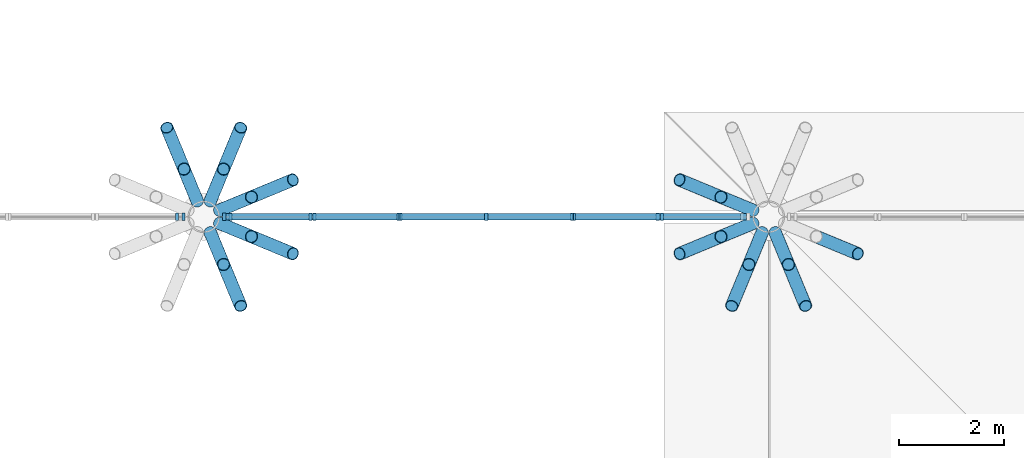
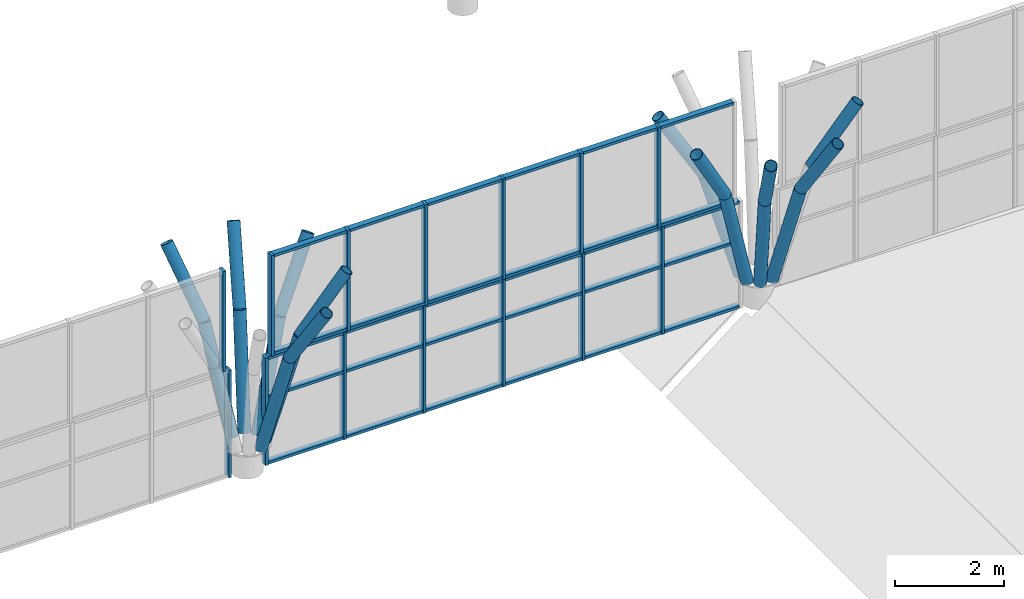
# One storey, part 17 of 95: 63 members, 4 elements without a shape of their own.
"""IFC4 building model written with IfcOpenShell, lengths in metres."""

from ifc_helpers import new_model, si_unit, direction, frame, origin, origin_2d, place, context, subcontext, project, spatial, rectangle, hollow_circle, extrude, material, layer, layer_set, material_profile, profile_set, type_object, element, aggregate, save


model = new_model("IFC4")

# Units and contexts
model_context = context("Model", 3, precision=1e-05, world=origin(), true_north=direction((0.0, 1.0)))
body_context = subcontext(model_context, "Body", "Model", "MODEL_VIEW")
ifc_project = project(units=[si_unit("LENGTHUNIT", "METRE"), si_unit("AREAUNIT", "SQUARE_METRE"), si_unit("VOLUMEUNIT", "CUBIC_METRE"), si_unit("PLANEANGLEUNIT", "RADIAN"), si_unit("MASSUNIT", "GRAM", prefix="KILO")], contexts=[model_context])

# Site, building, storey
site_placement = place(None, origin())
site = spatial("IfcSite", under=ifc_project, at=site_placement, CompositionType="ELEMENT")
building_placement = place(site_placement, origin())
building = spatial("IfcBuilding", under=site, at=building_placement, Name="Magnolia Steps Interchange", CompositionType="ELEMENT")
storey_placement = place(building_placement, frame((0.0, 0.0, 4.800048828125)))
storey = spatial("IfcBuildingStorey", under=building, at=storey_placement, Name="L01", CompositionType="ELEMENT", Elevation=4.800048828125)

# Curtain wall, member
ifc_material_1 = material(Name="Powder-coated aluminium and glass", Category="aluminium")
ifc_layer_1 = layer(ifc_material_1, 0.14990234375)
ifc_layer_set_1 = layer_set([ifc_layer_1], Name="Glazed hall curtain wall")
curtain_wall_type_1 = type_object("IfcCurtainWallType", Name="Glazed hall curtain wall", PredefinedType="NOTDEFINED", material=ifc_layer_set_1)
curtain_wall_1_placement = place(storey_placement, origin())
curtain_wall_1 = element("IfcCurtainWall", 1, at=curtain_wall_1_placement, inside=storey, type_object=curtain_wall_type_1, Name="Hall glazing S2 L01", PredefinedType="NOTDEFINED")
ifc_material_2 = material(Name="White powder-coated aluminium", Category="aluminium")
ifc_material_profile_1 = material_profile(ifc_material_2, rectangle(XDim=0.06005859375, YDim=0.14990234375, at=origin_2d()), Name="Aluminium mullion 60 x 150")
ifc_profile_set_1 = profile_set([ifc_material_profile_1], Name="White powder-coated aluminium")
member_type_1 = type_object("IfcMemberType", Name="Aluminium mullion 60 x 150", PredefinedType="MULLION", material=ifc_profile_set_1)
member_1_placement = place(storey_placement, frame((74.409912109375, 42.39990234375, 0.0), z_axis=(0.0, 0.0, 1.0), x_axis=(1.0, 0.0, 0.0)))
member_1 = element("IfcMember", 2, at=member_1_placement, type_object=member_type_1, Name="CW1 mullion 7", PredefinedType="MULLION", context=body_context, shape_type="SweptSolid", body=[
    extrude(rectangle(XDim=0.06005859375, YDim=0.14990234375, at=origin_2d()), origin(), (0.0, 0.0, 1.0), 2.39990234375),
])
aggregate(curtain_wall_1, [member_1])

ifc_material_3 = material(Name="Powder-coated aluminium and glass", Category="aluminium")
ifc_layer_2 = layer(ifc_material_3, 0.1201171875)
ifc_layer_set_2 = layer_set([ifc_layer_2], Name="Hall clerestory curtain wall")
curtain_wall_type_2 = type_object("IfcCurtainWallType", Name="Hall clerestory curtain wall", PredefinedType="NOTDEFINED", material=ifc_layer_set_2)
curtain_wall_2_placement = place(storey_placement, origin())
curtain_wall_2 = element("IfcCurtainWall", 3, at=curtain_wall_2_placement, inside=storey, type_object=curtain_wall_type_2, Name="Hall clerestory S2", PredefinedType="NOTDEFINED")
member_2_placement = place(storey_placement, frame((74.2900390625, 42.39990234375, 2.39990234375), z_axis=(0.0, 0.0, 1.0), x_axis=(1.0, 0.0, 0.0)))
member_2 = element("IfcMember", 4, at=member_2_placement, type_object=member_type_1, Name="CW6 mullion 7", PredefinedType="MULLION", context=body_context, shape_type="SweptSolid", body=[
    extrude(rectangle(XDim=0.06005859375, YDim=0.14990234375, at=origin_2d()), origin(), (0.0, 0.0, 1.0), 2.248779296875),
])
aggregate(curtain_wall_2, [member_2])

# Curtain wall, members
curtain_wall_3_placement = place(storey_placement, origin())
curtain_wall_3 = element("IfcCurtainWall", 5, at=curtain_wall_3_placement, inside=storey, type_object=curtain_wall_type_1, Name="Hall glazing S3 L01", PredefinedType="NOTDEFINED")
member_3_placement = place(storey_placement, frame((75.18994140625, 42.39990234375, 0.0), z_axis=(0.0, 0.0, 1.0), x_axis=(1.0, 0.0, 0.0)))
member_3 = element("IfcMember", 6, at=member_3_placement, type_object=member_type_1, Name="CW1 mullion 1", PredefinedType="MULLION", context=body_context, shape_type="SweptSolid", body=[
    extrude(rectangle(XDim=0.06005859375, YDim=0.14990234375, at=origin_2d()), origin(), (0.0, 0.0, 1.0), 2.39990234375),
])
member_4_placement = place(storey_placement, frame((76.840087890625, 42.39990234375, 0.0), z_axis=(0.0, 0.0, 1.0), x_axis=(1.0, 0.0, 0.0)))
member_4 = element("IfcMember", 7, at=member_4_placement, type_object=member_type_1, Name="CW1 mullion 2", PredefinedType="MULLION", context=body_context, shape_type="SweptSolid", body=[
    extrude(rectangle(XDim=0.06005859375, YDim=0.14990234375, at=origin_2d()), origin(), (0.0, 0.0, 1.0), 2.39990234375),
])
member_5_placement = place(storey_placement, frame((78.52001953125, 42.39990234375, 0.0), z_axis=(0.0, 0.0, 1.0), x_axis=(1.0, 0.0, 0.0)))
member_5 = element("IfcMember", 8, at=member_5_placement, type_object=member_type_1, Name="CW1 mullion 3", PredefinedType="MULLION", context=body_context, shape_type="SweptSolid", body=[
    extrude(rectangle(XDim=0.06005859375, YDim=0.14990234375, at=origin_2d()), origin(), (0.0, 0.0, 1.0), 2.39990234375),
])
member_6_placement = place(storey_placement, frame((80.199951171875, 42.39990234375, 0.0), z_axis=(0.0, 0.0, 1.0), x_axis=(1.0, 0.0, 0.0)))
member_6 = element("IfcMember", 9, at=member_6_placement, type_object=member_type_1, Name="CW1 mullion 4", PredefinedType="MULLION", context=body_context, shape_type="SweptSolid", body=[
    extrude(rectangle(XDim=0.06005859375, YDim=0.14990234375, at=origin_2d()), origin(), (0.0, 0.0, 1.0), 2.39990234375),
])
member_7_placement = place(storey_placement, frame((81.8798828125, 42.39990234375, 0.0), z_axis=(0.0, 0.0, 1.0), x_axis=(1.0, 0.0, 0.0)))
member_7 = element("IfcMember", 10, at=member_7_placement, type_object=member_type_1, Name="CW1 mullion 5", PredefinedType="MULLION", context=body_context, shape_type="SweptSolid", body=[
    extrude(rectangle(XDim=0.06005859375, YDim=0.14990234375, at=origin_2d()), origin(), (0.0, 0.0, 1.0), 2.39990234375),
])
member_8_placement = place(storey_placement, frame((83.56005859375, 42.39990234375, 0.0), z_axis=(0.0, 0.0, 1.0), x_axis=(1.0, 0.0, 0.0)))
member_8 = element("IfcMember", 11, at=member_8_placement, type_object=member_type_1, Name="CW1 mullion 6", PredefinedType="MULLION", context=body_context, shape_type="SweptSolid", body=[
    extrude(rectangle(XDim=0.06005859375, YDim=0.14990234375, at=origin_2d()), origin(), (0.0, 0.0, 1.0), 2.39990234375),
])

curtain_wall_4_placement = place(storey_placement, origin())
curtain_wall_4 = element("IfcCurtainWall", 12, at=curtain_wall_4_placement, inside=storey, type_object=curtain_wall_type_2, Name="Hall clerestory S3", PredefinedType="NOTDEFINED")
member_9_placement = place(storey_placement, frame((75.31005859375, 42.39990234375, 2.39990234375), z_axis=(0.0, 0.0, 1.0), x_axis=(1.0, 0.0, 0.0)))
member_9 = element("IfcMember", 13, at=member_9_placement, type_object=member_type_1, Name="CW6 mullion 1", PredefinedType="MULLION", context=body_context, shape_type="SweptSolid", body=[
    extrude(rectangle(XDim=0.06005859375, YDim=0.14990234375, at=origin_2d()), origin(), (0.0, 0.0, 1.0), 2.248779296875),
])
member_10_placement = place(storey_placement, frame((76.919921875, 42.39990234375, 2.39990234375), z_axis=(0.0, 0.0, 1.0), x_axis=(1.0, 0.0, 0.0)))
member_10 = element("IfcMember", 14, at=member_10_placement, type_object=member_type_1, Name="CW6 mullion 2", PredefinedType="MULLION", context=body_context, shape_type="SweptSolid", body=[
    extrude(rectangle(XDim=0.06005859375, YDim=0.14990234375, at=origin_2d()), origin(), (0.0, 0.0, 1.0), 2.248779296875),
])
member_11_placement = place(storey_placement, frame((78.56005859375, 42.39990234375, 2.39990234375), z_axis=(0.0, 0.0, 1.0), x_axis=(1.0, 0.0, 0.0)))
member_11 = element("IfcMember", 15, at=member_11_placement, type_object=member_type_1, Name="CW6 mullion 3", PredefinedType="MULLION", context=body_context, shape_type="SweptSolid", body=[
    extrude(rectangle(XDim=0.06005859375, YDim=0.14990234375, at=origin_2d()), origin(), (0.0, 0.0, 1.0), 2.248779296875),
])
member_12_placement = place(storey_placement, frame((80.199951171875, 42.39990234375, 2.39990234375), z_axis=(0.0, 0.0, 1.0), x_axis=(1.0, 0.0, 0.0)))
member_12 = element("IfcMember", 16, at=member_12_placement, type_object=member_type_1, Name="CW6 mullion 4", PredefinedType="MULLION", context=body_context, shape_type="SweptSolid", body=[
    extrude(rectangle(XDim=0.06005859375, YDim=0.14990234375, at=origin_2d()), origin(), (0.0, 0.0, 1.0), 2.248779296875),
])
member_13_placement = place(storey_placement, frame((81.840087890625, 42.39990234375, 2.39990234375), z_axis=(0.0, 0.0, 1.0), x_axis=(1.0, 0.0, 0.0)))
member_13 = element("IfcMember", 17, at=member_13_placement, type_object=member_type_1, Name="CW6 mullion 5", PredefinedType="MULLION", context=body_context, shape_type="SweptSolid", body=[
    extrude(rectangle(XDim=0.06005859375, YDim=0.14990234375, at=origin_2d()), origin(), (0.0, 0.0, 1.0), 2.248779296875),
])
member_14_placement = place(storey_placement, frame((83.47998046875, 42.39990234375, 2.39990234375), z_axis=(0.0, 0.0, 1.0), x_axis=(1.0, 0.0, 0.0)))
member_14 = element("IfcMember", 18, at=member_14_placement, type_object=member_type_1, Name="CW6 mullion 6", PredefinedType="MULLION", context=body_context, shape_type="SweptSolid", body=[
    extrude(rectangle(XDim=0.06005859375, YDim=0.14990234375, at=origin_2d()), origin(), (0.0, 0.0, 1.0), 2.248779296875),
])

# Member
ifc_material_4 = material(Name="White powder-coated aluminium", Category="aluminium")
ifc_material_profile_2 = material_profile(ifc_material_4, rectangle(XDim=0.06005859375, YDim=0.1201171875, at=origin_2d()), Name="Aluminium transom 60 x 120")
ifc_profile_set_2 = profile_set([ifc_material_profile_2], Name="White powder-coated aluminium")
member_type_2 = type_object("IfcMemberType", Name="Aluminium transom 60 x 120", PredefinedType="USERDEFINED", material=ifc_profile_set_2)
member_15_placement = place(storey_placement, frame((75.219970703125, 42.39990234375, 0.030029296875), z_axis=(1.0, 0.0, 0.0), x_axis=(0.0, 0.0, 1.0)))
member_15 = element("IfcMember", 19, at=member_15_placement, type_object=member_type_2, Name="CW1 transom 1.1", ObjectType="TRANSOM", PredefinedType="USERDEFINED", context=body_context, shape_type="SweptSolid", body=[
    extrude(rectangle(XDim=0.06005859375, YDim=0.1201171875, at=origin_2d()), origin(), (0.0, 0.0, 1.0), 1.590087890625),
])

member_16_placement = place(storey_placement, frame((75.219970703125, 42.39990234375, 1.5), z_axis=(1.0, 0.0, 0.0), x_axis=(0.0, 0.0, 1.0)))
member_16 = element("IfcMember", 20, at=member_16_placement, type_object=member_type_2, Name="CW1 transom 1.2", ObjectType="TRANSOM", PredefinedType="USERDEFINED", context=body_context, shape_type="SweptSolid", body=[
    extrude(rectangle(XDim=0.06005859375, YDim=0.1201171875, at=origin_2d()), origin(), (0.0, 0.0, 1.0), 1.590087890625),
])

member_17_placement = place(storey_placement, frame((75.219970703125, 42.39990234375, 2.369873046875), z_axis=(1.0, 0.0, 0.0), x_axis=(0.0, 0.0, 1.0)))
member_17 = element("IfcMember", 21, at=member_17_placement, type_object=member_type_2, Name="CW1 transom 1.3", ObjectType="TRANSOM", PredefinedType="USERDEFINED", context=body_context, shape_type="SweptSolid", body=[
    extrude(rectangle(XDim=0.06005859375, YDim=0.1201171875, at=origin_2d()), origin(), (0.0, 0.0, 1.0), 1.590087890625),
])

member_18_placement = place(storey_placement, frame((76.8701171875, 42.39990234375, 0.030029296875), z_axis=(1.0, 0.0, 0.0), x_axis=(0.0, 0.0, 1.0)))
member_18 = element("IfcMember", 22, at=member_18_placement, type_object=member_type_2, Name="CW1 transom 2.1", ObjectType="TRANSOM", PredefinedType="USERDEFINED", context=body_context, shape_type="SweptSolid", body=[
    extrude(rectangle(XDim=0.06005859375, YDim=0.1201171875, at=origin_2d()), origin(), (0.0, 0.0, 1.0), 1.619873046875),
])

member_19_placement = place(storey_placement, frame((76.8701171875, 42.39990234375, 1.5), z_axis=(1.0, 0.0, 0.0), x_axis=(0.0, 0.0, 1.0)))
member_19 = element("IfcMember", 23, at=member_19_placement, type_object=member_type_2, Name="CW1 transom 2.2", ObjectType="TRANSOM", PredefinedType="USERDEFINED", context=body_context, shape_type="SweptSolid", body=[
    extrude(rectangle(XDim=0.06005859375, YDim=0.1201171875, at=origin_2d()), origin(), (0.0, 0.0, 1.0), 1.619873046875),
])

member_20_placement = place(storey_placement, frame((76.8701171875, 42.39990234375, 2.369873046875), z_axis=(1.0, 0.0, 0.0), x_axis=(0.0, 0.0, 1.0)))
member_20 = element("IfcMember", 24, at=member_20_placement, type_object=member_type_2, Name="CW1 transom 2.3", ObjectType="TRANSOM", PredefinedType="USERDEFINED", context=body_context, shape_type="SweptSolid", body=[
    extrude(rectangle(XDim=0.06005859375, YDim=0.1201171875, at=origin_2d()), origin(), (0.0, 0.0, 1.0), 1.619873046875),
])

member_21_placement = place(storey_placement, frame((78.550048828125, 42.39990234375, 0.030029296875), z_axis=(1.0, 0.0, 0.0), x_axis=(0.0, 0.0, 1.0)))
member_21 = element("IfcMember", 25, at=member_21_placement, type_object=member_type_2, Name="CW1 transom 3.1", ObjectType="TRANSOM", PredefinedType="USERDEFINED", context=body_context, shape_type="SweptSolid", body=[
    extrude(rectangle(XDim=0.06005859375, YDim=0.1201171875, at=origin_2d()), origin(), (0.0, 0.0, 1.0), 1.619873046875),
])

member_22_placement = place(storey_placement, frame((78.550048828125, 42.39990234375, 1.5), z_axis=(1.0, 0.0, 0.0), x_axis=(0.0, 0.0, 1.0)))
member_22 = element("IfcMember", 26, at=member_22_placement, type_object=member_type_2, Name="CW1 transom 3.2", ObjectType="TRANSOM", PredefinedType="USERDEFINED", context=body_context, shape_type="SweptSolid", body=[
    extrude(rectangle(XDim=0.06005859375, YDim=0.1201171875, at=origin_2d()), origin(), (0.0, 0.0, 1.0), 1.619873046875),
])

member_23_placement = place(storey_placement, frame((78.550048828125, 42.39990234375, 2.369873046875), z_axis=(1.0, 0.0, 0.0), x_axis=(0.0, 0.0, 1.0)))
member_23 = element("IfcMember", 27, at=member_23_placement, type_object=member_type_2, Name="CW1 transom 3.3", ObjectType="TRANSOM", PredefinedType="USERDEFINED", context=body_context, shape_type="SweptSolid", body=[
    extrude(rectangle(XDim=0.06005859375, YDim=0.1201171875, at=origin_2d()), origin(), (0.0, 0.0, 1.0), 1.619873046875),
])

member_24_placement = place(storey_placement, frame((80.22998046875, 42.39990234375, 0.030029296875), z_axis=(1.0, 0.0, 0.0), x_axis=(0.0, 0.0, 1.0)))
member_24 = element("IfcMember", 28, at=member_24_placement, type_object=member_type_2, Name="CW1 transom 4.1", ObjectType="TRANSOM", PredefinedType="USERDEFINED", context=body_context, shape_type="SweptSolid", body=[
    extrude(rectangle(XDim=0.06005859375, YDim=0.1201171875, at=origin_2d()), origin(), (0.0, 0.0, 1.0), 1.6201171875),
])

member_25_placement = place(storey_placement, frame((80.22998046875, 42.39990234375, 1.5), z_axis=(1.0, 0.0, 0.0), x_axis=(0.0, 0.0, 1.0)))
member_25 = element("IfcMember", 29, at=member_25_placement, type_object=member_type_2, Name="CW1 transom 4.2", ObjectType="TRANSOM", PredefinedType="USERDEFINED", context=body_context, shape_type="SweptSolid", body=[
    extrude(rectangle(XDim=0.06005859375, YDim=0.1201171875, at=origin_2d()), origin(), (0.0, 0.0, 1.0), 1.6201171875),
])

member_26_placement = place(storey_placement, frame((80.22998046875, 42.39990234375, 2.369873046875), z_axis=(1.0, 0.0, 0.0), x_axis=(0.0, 0.0, 1.0)))
member_26 = element("IfcMember", 30, at=member_26_placement, type_object=member_type_2, Name="CW1 transom 4.3", ObjectType="TRANSOM", PredefinedType="USERDEFINED", context=body_context, shape_type="SweptSolid", body=[
    extrude(rectangle(XDim=0.06005859375, YDim=0.1201171875, at=origin_2d()), origin(), (0.0, 0.0, 1.0), 1.6201171875),
])

member_27_placement = place(storey_placement, frame((81.909912109375, 42.39990234375, 0.030029296875), z_axis=(1.0, 0.0, 0.0), x_axis=(0.0, 0.0, 1.0)))
member_27 = element("IfcMember", 31, at=member_27_placement, type_object=member_type_2, Name="CW1 transom 5.1", ObjectType="TRANSOM", PredefinedType="USERDEFINED", context=body_context, shape_type="SweptSolid", body=[
    extrude(rectangle(XDim=0.06005859375, YDim=0.1201171875, at=origin_2d()), origin(), (0.0, 0.0, 1.0), 1.6201171875),
])

member_28_placement = place(storey_placement, frame((81.909912109375, 42.39990234375, 1.5), z_axis=(1.0, 0.0, 0.0), x_axis=(0.0, 0.0, 1.0)))
member_28 = element("IfcMember", 32, at=member_28_placement, type_object=member_type_2, Name="CW1 transom 5.2", ObjectType="TRANSOM", PredefinedType="USERDEFINED", context=body_context, shape_type="SweptSolid", body=[
    extrude(rectangle(XDim=0.06005859375, YDim=0.1201171875, at=origin_2d()), origin(), (0.0, 0.0, 1.0), 1.6201171875),
])

member_29_placement = place(storey_placement, frame((81.909912109375, 42.39990234375, 2.369873046875), z_axis=(1.0, 0.0, 0.0), x_axis=(0.0, 0.0, 1.0)))
member_29 = element("IfcMember", 33, at=member_29_placement, type_object=member_type_2, Name="CW1 transom 5.3", ObjectType="TRANSOM", PredefinedType="USERDEFINED", context=body_context, shape_type="SweptSolid", body=[
    extrude(rectangle(XDim=0.06005859375, YDim=0.1201171875, at=origin_2d()), origin(), (0.0, 0.0, 1.0), 1.6201171875),
])

member_30_placement = place(storey_placement, frame((83.590087890625, 42.39990234375, 0.030029296875), z_axis=(1.0, 0.0, 0.0), x_axis=(0.0, 0.0, 1.0)))
member_30 = element("IfcMember", 34, at=member_30_placement, type_object=member_type_2, Name="CW1 transom 6.1", ObjectType="TRANSOM", PredefinedType="USERDEFINED", context=body_context, shape_type="SweptSolid", body=[
    extrude(rectangle(XDim=0.06005859375, YDim=0.1201171875, at=origin_2d()), origin(), (0.0, 0.0, 1.0), 1.58984375),
])

member_31_placement = place(storey_placement, frame((83.590087890625, 42.39990234375, 1.5), z_axis=(1.0, 0.0, 0.0), x_axis=(0.0, 0.0, 1.0)))
member_31 = element("IfcMember", 35, at=member_31_placement, type_object=member_type_2, Name="CW1 transom 6.2", ObjectType="TRANSOM", PredefinedType="USERDEFINED", context=body_context, shape_type="SweptSolid", body=[
    extrude(rectangle(XDim=0.06005859375, YDim=0.1201171875, at=origin_2d()), origin(), (0.0, 0.0, 1.0), 1.58984375),
])

member_32_placement = place(storey_placement, frame((83.590087890625, 42.39990234375, 2.369873046875), z_axis=(1.0, 0.0, 0.0), x_axis=(0.0, 0.0, 1.0)))
member_32 = element("IfcMember", 36, at=member_32_placement, type_object=member_type_2, Name="CW1 transom 6.3", ObjectType="TRANSOM", PredefinedType="USERDEFINED", context=body_context, shape_type="SweptSolid", body=[
    extrude(rectangle(XDim=0.06005859375, YDim=0.1201171875, at=origin_2d()), origin(), (0.0, 0.0, 1.0), 1.58984375),
])

aggregate(curtain_wall_3, [member_3, member_4, member_5, member_6, member_7, member_8, member_15, member_16, member_17, member_18, member_19, member_20, member_21, member_22, member_23, member_24, member_25, member_26, member_27, member_28, member_29, member_30, member_31, member_32])

member_33_placement = place(storey_placement, frame((75.340087890625, 42.39990234375, 2.429931640625), z_axis=(1.0, 0.0, 0.0), x_axis=(0.0, 0.0, 1.0)))
member_33 = element("IfcMember", 37, at=member_33_placement, type_object=member_type_2, Name="CW6 transom 1.1", ObjectType="TRANSOM", PredefinedType="USERDEFINED", context=body_context, shape_type="SweptSolid", body=[
    extrude(rectangle(XDim=0.06005859375, YDim=0.1201171875, at=origin_2d()), origin(), (0.0, 0.0, 1.0), 1.5498046875),
])

member_34_placement = place(storey_placement, frame((75.340087890625, 42.39990234375, 4.61865234375), z_axis=(1.0, 0.0, 0.0), x_axis=(0.0, 0.0, 1.0)))
member_34 = element("IfcMember", 38, at=member_34_placement, type_object=member_type_2, Name="CW6 transom 1.2", ObjectType="TRANSOM", PredefinedType="USERDEFINED", context=body_context, shape_type="SweptSolid", body=[
    extrude(rectangle(XDim=0.06005859375, YDim=0.1201171875, at=origin_2d()), origin(), (0.0, 0.0, 1.0), 1.5498046875),
])

member_35_placement = place(storey_placement, frame((76.949951171875, 42.39990234375, 2.429931640625), z_axis=(1.0, 0.0, 0.0), x_axis=(0.0, 0.0, 1.0)))
member_35 = element("IfcMember", 39, at=member_35_placement, type_object=member_type_2, Name="CW6 transom 2.1", ObjectType="TRANSOM", PredefinedType="USERDEFINED", context=body_context, shape_type="SweptSolid", body=[
    extrude(rectangle(XDim=0.06005859375, YDim=0.1201171875, at=origin_2d()), origin(), (0.0, 0.0, 1.0), 1.580078125),
])

member_36_placement = place(storey_placement, frame((76.949951171875, 42.39990234375, 4.61865234375), z_axis=(1.0, 0.0, 0.0), x_axis=(0.0, 0.0, 1.0)))
member_36 = element("IfcMember", 40, at=member_36_placement, type_object=member_type_2, Name="CW6 transom 2.2", ObjectType="TRANSOM", PredefinedType="USERDEFINED", context=body_context, shape_type="SweptSolid", body=[
    extrude(rectangle(XDim=0.06005859375, YDim=0.1201171875, at=origin_2d()), origin(), (0.0, 0.0, 1.0), 1.580078125),
])

member_37_placement = place(storey_placement, frame((78.590087890625, 42.39990234375, 2.429931640625), z_axis=(1.0, 0.0, 0.0), x_axis=(0.0, 0.0, 1.0)))
member_37 = element("IfcMember", 41, at=member_37_placement, type_object=member_type_2, Name="CW6 transom 3.1", ObjectType="TRANSOM", PredefinedType="USERDEFINED", context=body_context, shape_type="SweptSolid", body=[
    extrude(rectangle(XDim=0.06005859375, YDim=0.1201171875, at=origin_2d()), origin(), (0.0, 0.0, 1.0), 1.579833984375),
])

member_38_placement = place(storey_placement, frame((78.590087890625, 42.39990234375, 4.61865234375), z_axis=(1.0, 0.0, 0.0), x_axis=(0.0, 0.0, 1.0)))
member_38 = element("IfcMember", 42, at=member_38_placement, type_object=member_type_2, Name="CW6 transom 3.2", ObjectType="TRANSOM", PredefinedType="USERDEFINED", context=body_context, shape_type="SweptSolid", body=[
    extrude(rectangle(XDim=0.06005859375, YDim=0.1201171875, at=origin_2d()), origin(), (0.0, 0.0, 1.0), 1.579833984375),
])

member_39_placement = place(storey_placement, frame((80.22998046875, 42.39990234375, 2.429931640625), z_axis=(1.0, 0.0, 0.0), x_axis=(0.0, 0.0, 1.0)))
member_39 = element("IfcMember", 43, at=member_39_placement, type_object=member_type_2, Name="CW6 transom 4.1", ObjectType="TRANSOM", PredefinedType="USERDEFINED", context=body_context, shape_type="SweptSolid", body=[
    extrude(rectangle(XDim=0.06005859375, YDim=0.1201171875, at=origin_2d()), origin(), (0.0, 0.0, 1.0), 1.580078125),
])

member_40_placement = place(storey_placement, frame((80.22998046875, 42.39990234375, 4.61865234375), z_axis=(1.0, 0.0, 0.0), x_axis=(0.0, 0.0, 1.0)))
member_40 = element("IfcMember", 44, at=member_40_placement, type_object=member_type_2, Name="CW6 transom 4.2", ObjectType="TRANSOM", PredefinedType="USERDEFINED", context=body_context, shape_type="SweptSolid", body=[
    extrude(rectangle(XDim=0.06005859375, YDim=0.1201171875, at=origin_2d()), origin(), (0.0, 0.0, 1.0), 1.580078125),
])

member_41_placement = place(storey_placement, frame((81.8701171875, 42.39990234375, 2.429931640625), z_axis=(1.0, 0.0, 0.0), x_axis=(0.0, 0.0, 1.0)))
member_41 = element("IfcMember", 45, at=member_41_placement, type_object=member_type_2, Name="CW6 transom 5.1", ObjectType="TRANSOM", PredefinedType="USERDEFINED", context=body_context, shape_type="SweptSolid", body=[
    extrude(rectangle(XDim=0.06005859375, YDim=0.1201171875, at=origin_2d()), origin(), (0.0, 0.0, 1.0), 1.579833984375),
])

member_42_placement = place(storey_placement, frame((81.8701171875, 42.39990234375, 4.61865234375), z_axis=(1.0, 0.0, 0.0), x_axis=(0.0, 0.0, 1.0)))
member_42 = element("IfcMember", 46, at=member_42_placement, type_object=member_type_2, Name="CW6 transom 5.2", ObjectType="TRANSOM", PredefinedType="USERDEFINED", context=body_context, shape_type="SweptSolid", body=[
    extrude(rectangle(XDim=0.06005859375, YDim=0.1201171875, at=origin_2d()), origin(), (0.0, 0.0, 1.0), 1.579833984375),
])

member_43_placement = place(storey_placement, frame((83.510009765625, 42.39990234375, 2.429931640625), z_axis=(1.0, 0.0, 0.0), x_axis=(0.0, 0.0, 1.0)))
member_43 = element("IfcMember", 47, at=member_43_placement, type_object=member_type_2, Name="CW6 transom 6.1", ObjectType="TRANSOM", PredefinedType="USERDEFINED", context=body_context, shape_type="SweptSolid", body=[
    extrude(rectangle(XDim=0.06005859375, YDim=0.1201171875, at=origin_2d()), origin(), (0.0, 0.0, 1.0), 1.550048828125),
])

member_44_placement = place(storey_placement, frame((83.510009765625, 42.39990234375, 4.61865234375), z_axis=(1.0, 0.0, 0.0), x_axis=(0.0, 0.0, 1.0)))
member_44 = element("IfcMember", 48, at=member_44_placement, type_object=member_type_2, Name="CW6 transom 6.2", ObjectType="TRANSOM", PredefinedType="USERDEFINED", context=body_context, shape_type="SweptSolid", body=[
    extrude(rectangle(XDim=0.06005859375, YDim=0.1201171875, at=origin_2d()), origin(), (0.0, 0.0, 1.0), 1.550048828125),
])

aggregate(curtain_wall_4, [member_9, member_10, member_11, member_12, member_13, member_14, member_33, member_34, member_35, member_36, member_37, member_38, member_39, member_40, member_41, member_42, member_43, member_44])

# Members
ifc_material_5 = material(Name="Steel Q355B", Category="steel")
ifc_material_profile_3 = material_profile(ifc_material_5, hollow_circle(Radius=0.12255859375, WallThickness=0.011962890625, at=origin_2d()), Name="CHS245x12")
ifc_profile_set_3 = profile_set([ifc_material_profile_3], Name="Steel Q355B")
member_type_3 = type_object("IfcMemberType", Name="Tree rib CHS245x12", PredefinedType="USERDEFINED", material=ifc_profile_set_3)
member_45_placement = place(storey_placement, frame((75.10498046875, 42.5263671875, 0.61865234375), z_axis=(0.254583252625, 0.105376575604, 0.961292434589), x_axis=(-0.382450274146, 0.923976075343, 0.0)))
element("IfcMember", 49, at=member_45_placement, inside=storey, type_object=member_type_3, Name="Tree rib TH03A", ObjectType="TREE RIB", PredefinedType="USERDEFINED", context=body_context, shape_type="SweptSolid", body=[
    extrude(hollow_circle(Radius=0.12255859375, WallThickness=0.011962890625, at=origin_2d()), origin(), (0.0, 0.0, 1.0), 2.384033203125),
])
member_46_placement = place(storey_placement, frame((75.7119140625, 42.777587890625, 2.910400390625), z_axis=(0.489571014481, 0.202820124805, 0.848047297475), x_axis=(-0.382736860682, 0.923857399968, 0.0)))
element("IfcMember", 50, at=member_46_placement, inside=storey, type_object=member_type_3, Name="Tree rib TH03A", ObjectType="TREE RIB", PredefinedType="USERDEFINED", context=body_context, shape_type="SweptSolid", body=[
    extrude(hollow_circle(Radius=0.12255859375, WallThickness=0.011962890625, at=origin_2d()), origin(), (0.0, 0.0, 1.0), 1.6201171875),
])
member_47_placement = place(storey_placement, frame((74.92626953125, 42.704833984375, 0.61865234375), z_axis=(0.105475093291, 0.254676268946, 0.961256990992), x_axis=(-0.923899118291, 0.382636144688, 0.0)))
element("IfcMember", 51, at=member_47_placement, inside=storey, type_object=member_type_3, Name="Tree rib TH03A", ObjectType="TREE RIB", PredefinedType="USERDEFINED", context=body_context, shape_type="SweptSolid", body=[
    extrude(hollow_circle(Radius=0.12255859375, WallThickness=0.011962890625, at=origin_2d()), origin(), (0.0, 0.0, 1.0), 2.384033203125),
])
member_48_placement = place(storey_placement, frame((75.177734375, 43.31201171875, 2.910400390625), z_axis=(0.202820124805, 0.489571014481, 0.848047297475), x_axis=(-0.923857399968, 0.382736860682, 0.0)))
element("IfcMember", 52, at=member_48_placement, inside=storey, type_object=member_type_3, Name="Tree rib TH03A", ObjectType="TREE RIB", PredefinedType="USERDEFINED", context=body_context, shape_type="SweptSolid", body=[
    extrude(hollow_circle(Radius=0.12255859375, WallThickness=0.011962890625, at=origin_2d()), origin(), (0.0, 0.0, 1.0), 1.6201171875),
])
member_49_placement = place(storey_placement, frame((74.673583984375, 42.704833984375, 0.61865234375), z_axis=(-0.105373827881, 0.254679018405, 0.961267368624), x_axis=(-0.924030411119, -0.382318975891, 0.0)))
element("IfcMember", 53, at=member_49_placement, inside=storey, type_object=member_type_3, Name="Tree rib TH03A", ObjectType="TREE RIB", PredefinedType="USERDEFINED", context=body_context, shape_type="SweptSolid", body=[
    extrude(hollow_circle(Radius=0.12255859375, WallThickness=0.011962890625, at=origin_2d()), origin(), (0.0, 0.0, 1.0), 2.384033203125),
])
member_50_placement = place(storey_placement, frame((74.42236328125, 43.31201171875, 2.910400390625), z_axis=(-0.202820124805, 0.489571014481, 0.848047297475), x_axis=(-0.923857399968, -0.382736860682, 0.0)))
element("IfcMember", 54, at=member_50_placement, inside=storey, type_object=member_type_3, Name="Tree rib TH03A", ObjectType="TREE RIB", PredefinedType="USERDEFINED", context=body_context, shape_type="SweptSolid", body=[
    extrude(hollow_circle(Radius=0.12255859375, WallThickness=0.011962890625, at=origin_2d()), origin(), (0.0, 0.0, 1.0), 1.6201171875),
])
member_51_placement = place(storey_placement, frame((74.92626953125, 42.09521484375, 0.61865234375), z_axis=(0.105475093291, -0.254676268946, 0.961256990992), x_axis=(0.923899118291, 0.382636144688, 0.0)))
element("IfcMember", 55, at=member_51_placement, inside=storey, type_object=member_type_3, Name="Tree rib TH03A", ObjectType="TREE RIB", PredefinedType="USERDEFINED", context=body_context, shape_type="SweptSolid", body=[
    extrude(hollow_circle(Radius=0.12255859375, WallThickness=0.011962890625, at=origin_2d()), origin(), (0.0, 0.0, 1.0), 2.384033203125),
])
member_52_placement = place(storey_placement, frame((75.177734375, 41.488037109375, 2.910400390625), z_axis=(0.202820124805, -0.489571014481, 0.848047297475), x_axis=(0.923857399968, 0.382736860682, 0.0)))
element("IfcMember", 56, at=member_52_placement, inside=storey, type_object=member_type_3, Name="Tree rib TH03A", ObjectType="TREE RIB", PredefinedType="USERDEFINED", context=body_context, shape_type="SweptSolid", body=[
    extrude(hollow_circle(Radius=0.12255859375, WallThickness=0.011962890625, at=origin_2d()), origin(), (0.0, 0.0, 1.0), 1.6201171875),
])
member_53_placement = place(storey_placement, frame((75.10498046875, 42.273681640625, 0.61865234375), z_axis=(0.254580504056, -0.105477843595, 0.961282056144), x_axis=(0.382767514508, 0.923844700065, 0.0)))
element("IfcMember", 57, at=member_53_placement, inside=storey, type_object=member_type_3, Name="Tree rib TH03A", ObjectType="TREE RIB", PredefinedType="USERDEFINED", context=body_context, shape_type="SweptSolid", body=[
    extrude(hollow_circle(Radius=0.12255859375, WallThickness=0.011962890625, at=origin_2d()), origin(), (0.0, 0.0, 1.0), 2.384033203125),
])
member_54_placement = place(storey_placement, frame((75.7119140625, 42.022216796875, 2.910400390625), z_axis=(0.489571014481, -0.202820124805, 0.848047297475), x_axis=(0.382736860682, 0.923857399968, 0.0)))
element("IfcMember", 58, at=member_54_placement, inside=storey, type_object=member_type_3, Name="Tree rib TH03A", ObjectType="TREE RIB", PredefinedType="USERDEFINED", context=body_context, shape_type="SweptSolid", body=[
    extrude(hollow_circle(Radius=0.12255859375, WallThickness=0.011962890625, at=origin_2d()), origin(), (0.0, 0.0, 1.0), 1.6201171875),
])
member_55_placement = place(storey_placement, frame((85.295166015625, 42.5263671875, 0.61865234375), z_axis=(-0.254679018405, 0.105373827881, 0.961267368624), x_axis=(-0.382318975891, -0.924030411119, 0.0)))
element("IfcMember", 59, at=member_55_placement, inside=storey, type_object=member_type_3, Name="Tree rib TH04A", ObjectType="TREE RIB", PredefinedType="USERDEFINED", context=body_context, shape_type="SweptSolid", body=[
    extrude(hollow_circle(Radius=0.12255859375, WallThickness=0.011962890625, at=origin_2d()), origin(), (0.0, 0.0, 1.0), 2.384033203125),
])
member_56_placement = place(storey_placement, frame((84.68798828125, 42.777587890625, 2.910400390625), z_axis=(-0.489571014481, 0.202820124805, 0.848047297475), x_axis=(-0.382736860682, -0.923857399968, 0.0)))
element("IfcMember", 60, at=member_56_placement, inside=storey, type_object=member_type_3, Name="Tree rib TH04A", ObjectType="TREE RIB", PredefinedType="USERDEFINED", context=body_context, shape_type="SweptSolid", body=[
    extrude(hollow_circle(Radius=0.12255859375, WallThickness=0.011962890625, at=origin_2d()), origin(), (0.0, 0.0, 1.0), 1.6201171875),
])
member_57_placement = place(storey_placement, frame((85.295166015625, 42.273681640625, 0.61865234375), z_axis=(-0.254676268946, -0.105475093291, 0.961256990992), x_axis=(0.382636144688, -0.923899118291, 0.0)))
element("IfcMember", 61, at=member_57_placement, inside=storey, type_object=member_type_3, Name="Tree rib TH04A", ObjectType="TREE RIB", PredefinedType="USERDEFINED", context=body_context, shape_type="SweptSolid", body=[
    extrude(hollow_circle(Radius=0.12255859375, WallThickness=0.011962890625, at=origin_2d()), origin(), (0.0, 0.0, 1.0), 2.384033203125),
])
member_58_placement = place(storey_placement, frame((84.68798828125, 42.022216796875, 2.910400390625), z_axis=(-0.489571014481, -0.202820124805, 0.848047297475), x_axis=(0.382736860682, -0.923857399968, 0.0)))
element("IfcMember", 62, at=member_58_placement, inside=storey, type_object=member_type_3, Name="Tree rib TH04A", ObjectType="TREE RIB", PredefinedType="USERDEFINED", context=body_context, shape_type="SweptSolid", body=[
    extrude(hollow_circle(Radius=0.12255859375, WallThickness=0.011962890625, at=origin_2d()), origin(), (0.0, 0.0, 1.0), 1.6201171875),
])
member_59_placement = place(storey_placement, frame((85.4736328125, 42.09521484375, 0.61865234375), z_axis=(-0.105373827881, -0.254679018405, 0.961267368624), x_axis=(0.924030411119, -0.382318975891, 0.0)))
element("IfcMember", 63, at=member_59_placement, inside=storey, type_object=member_type_3, Name="Tree rib TH04A", ObjectType="TREE RIB", PredefinedType="USERDEFINED", context=body_context, shape_type="SweptSolid", body=[
    extrude(hollow_circle(Radius=0.12255859375, WallThickness=0.011962890625, at=origin_2d()), origin(), (0.0, 0.0, 1.0), 2.384033203125),
])
member_60_placement = place(storey_placement, frame((85.222412109375, 41.488037109375, 2.910400390625), z_axis=(-0.202820124805, -0.489571014481, 0.848047297475), x_axis=(0.923857399968, -0.382736860682, 0.0)))
element("IfcMember", 64, at=member_60_placement, inside=storey, type_object=member_type_3, Name="Tree rib TH04A", ObjectType="TREE RIB", PredefinedType="USERDEFINED", context=body_context, shape_type="SweptSolid", body=[
    extrude(hollow_circle(Radius=0.12255859375, WallThickness=0.011962890625, at=origin_2d()), origin(), (0.0, 0.0, 1.0), 1.6201171875),
])
member_61_placement = place(storey_placement, frame((85.726318359375, 42.09521484375, 0.61865234375), z_axis=(0.105475093291, -0.254676268946, 0.961256990992), x_axis=(0.923899118291, 0.382636144688, 0.0)))
element("IfcMember", 65, at=member_61_placement, inside=storey, type_object=member_type_3, Name="Tree rib TH04A", ObjectType="TREE RIB", PredefinedType="USERDEFINED", context=body_context, shape_type="SweptSolid", body=[
    extrude(hollow_circle(Radius=0.12255859375, WallThickness=0.011962890625, at=origin_2d()), origin(), (0.0, 0.0, 1.0), 2.384033203125),
])
for number, where, z_axis, x_axis, name in (
    (66, (85.977783203125, 41.488037109375, 2.910400390625), (0.202820124805, -0.489571014481, 0.848047297475), (0.923857399968, 0.382736860682, 0.0), "Tree rib TH04A"),
    (67, (86.511962890625, 42.022216796875, 2.910400390625), (0.489571014481, -0.202820124805, 0.848047297475), (0.382736860682, 0.923857399968, 0.0), "Tree rib TH04A"),
):
    element("IfcMember", number, at=place(storey_placement, frame(where, z_axis=z_axis, x_axis=x_axis)), inside=storey, type_object=member_type_3, Name=name, ObjectType="TREE RIB", PredefinedType="USERDEFINED", context=body_context, shape_type="SweptSolid", body=[
        extrude(hollow_circle(Radius=0.12255859375, WallThickness=0.011962890625, at=origin_2d()), origin(), (0.0, 0.0, 1.0), 1.6201171875),
    ])

save(model, "model.ifc")
